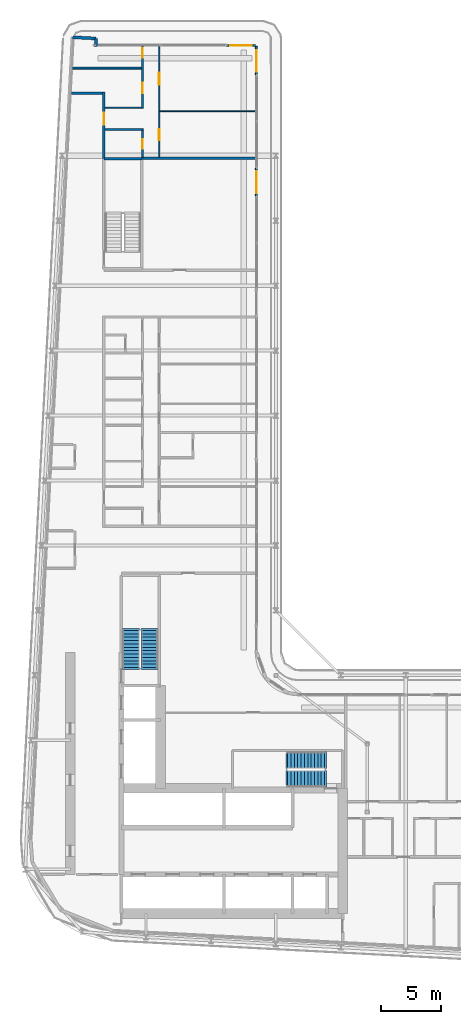
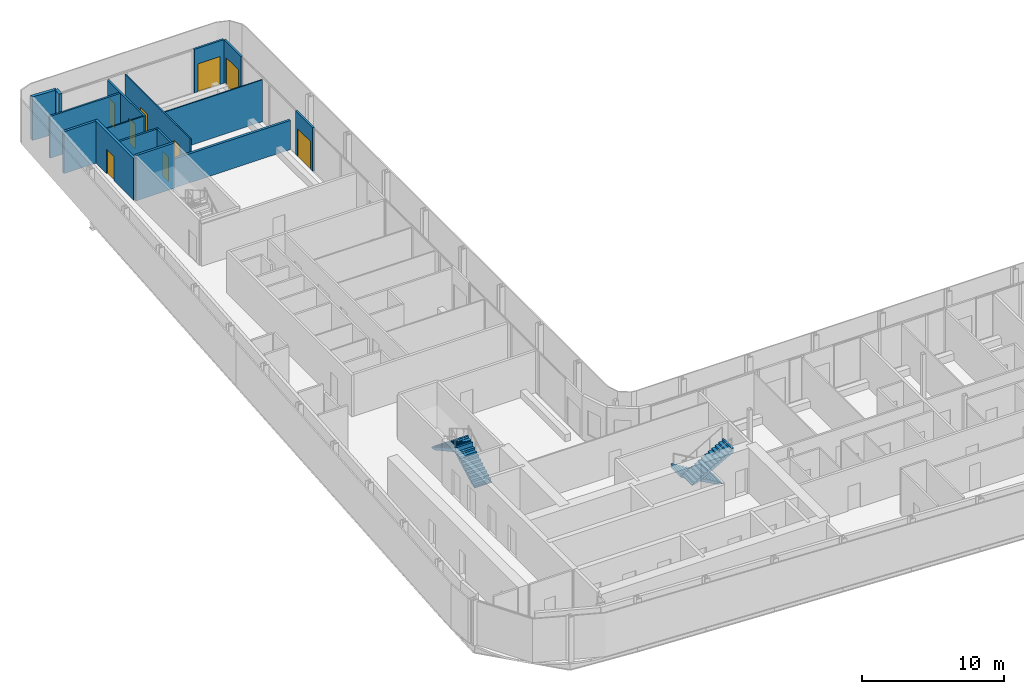
# One storey, part 22 of 30: 16 walls, 9 doors, 4 stair flights, 9 openings, 2 elements without a shape of their own.
"""IFC4 building model written with IfcOpenShell, lengths in metres."""

from ifc_helpers import new_model, si_unit, direction, frame, frame_2d, origin, place, context, subcontext, project, spatial, polyline, rectangle, outline, extrude, source, transform, mapped, material, layer, layer_set, type_object, element, fill, aggregate, save


model = new_model("IFC4")

# Units and contexts
model_context = context("Model", 3, precision=1e-05, world=origin(), true_north=direction((0.0, 1.0)))
body_context = subcontext(model_context, "Body", "Model", "MODEL_VIEW")
ifc_project = project(units=[si_unit("LENGTHUNIT", "METRE"), si_unit("AREAUNIT", "SQUARE_METRE"), si_unit("VOLUMEUNIT", "CUBIC_METRE"), si_unit("PLANEANGLEUNIT", "RADIAN"), si_unit("MASSUNIT", "GRAM", prefix="KILO")], contexts=[model_context])

# Site, building, storey
site_placement = place(None, origin())
site = spatial("IfcSite", under=ifc_project, at=site_placement, CompositionType="ELEMENT")
building_placement = place(site_placement, origin())
building = spatial("IfcBuilding", under=site, at=building_placement, Name="Kheshtan School and Residences Tower", CompositionType="ELEMENT")
storey_placement = place(building_placement, frame((0.0, 0.0, 164.300048828125)))
storey = spatial("IfcBuildingStorey", under=building, at=storey_placement, Name="L38", CompositionType="ELEMENT", Elevation=164.300048828125)

# Wall
ifc_material_1 = material(Name="Gypsum board on steel studs with fire boards", Category="steel")
ifc_layer_1 = layer(ifc_material_1, 0.199951171875)
ifc_layer_set_1 = layer_set([ifc_layer_1], Name="Corridor wall 200")
wall_type_1 = type_object("IfcWallType", Name="Corridor wall 200", PredefinedType="PARTITIONING", material=ifc_layer_set_1)
wall_1_placement = place(storey_placement, frame((30.584716796875, 94.0, 0.0), z_axis=(0.0, 0.0, 1.0), x_axis=(1.0, 0.0, 0.0)))
element("IfcWall", 1, at=wall_1_placement, inside=storey, type_object=wall_type_1, Name="Partition L38-002", PredefinedType="PARTITIONING", context=body_context, shape_type="SweptSolid", body=[
    extrude(rectangle(XDim=2.615234375, YDim=0.199951171875, at=frame_2d((1.3076171875, 0.0))), origin(), (0.0, 0.0, 1.0), 3.599853515625),
])

# Wall, opening, door
wall_2_placement = place(storey_placement, frame((33.300048828125, 88.60009765625, 0.0), z_axis=(0.0, 0.0, 1.0), x_axis=(0.0, 1.0, 0.0)))
wall_2 = element("IfcWall", 2, at=wall_2_placement, inside=storey, type_object=wall_type_1, Name="Partition L38-005", PredefinedType="PARTITIONING", context=body_context, shape_type="SweptSolid", body=[
    extrude(rectangle(XDim=5.5, YDim=0.199951171875, at=frame_2d((2.75, 0.0))), origin(), (0.0, 0.0, 1.0), 3.599853515625),
])
opening_1_placement = place(wall_2_placement, frame((2.800048828125, 0.0, 0.0)))
opening_1 = element("IfcOpeningElement", 3, at=opening_1_placement, cuts=wall_2, Name="Opening D37-514", PredefinedType="OPENING", context=body_context, shape_type="SweptSolid", body=[
    extrude(rectangle(XDim=1.0, YDim=2.10009765625, at=frame_2d((0.5, 1.050048828125))), frame((0.0, 0.10986328125, 0.0), z_axis=(0.0, -1.0, 0.0), x_axis=(1.0, 0.0, 0.0)), (0.0, 0.0, 1.0), 0.219970703125),
])
ifc_material_2 = material(Name="Steel-framed fire-resisting door leaf", Category="steel")
door_type_1 = type_object("IfcDoorType", Name="Fire door FD30S 1000 x 2100", OperationType="SINGLE_SWING_LEFT", PredefinedType="DOOR", material=ifc_material_2)
shared_shape_1 = source(origin(), body_context, "Body", "SweptSolid", [
    extrude(rectangle(XDim=1.0, YDim=2.10009765625, at=frame_2d((0.5, 1.050048828125))), frame((0.0, 0.02490234375, 0.0), z_axis=(0.0, -1.0, 0.0), x_axis=(1.0, 0.0, 0.0)), (0.0, 0.0, 1.0), 0.050048828125),
])
door_1_placement = place(opening_1_placement, origin())
door_1 = element("IfcDoor", 4, at=door_1_placement, inside=storey, type_object=door_type_1, Name="Door D37-514", OperationType="SINGLE_SWING_LEFT", OverallHeight=2.10009765625, OverallWidth=1.0, PredefinedType="DOOR", context=body_context, shape_type="MappedRepresentation", body=[
    mapped(shared_shape_1, transform((0.0, 0.0, 0.0), x_axis=(1.0, 0.0, 0.0), y_axis=(0.0, 1.0, 0.0), z_axis=(0.0, 0.0, 1.0), scale=1.0)),
])
fill(opening_1, door_1)

# Walls
ifc_material_3 = material(Name="Concrete C40/50 with ceramic cladding and mineral wool insulation", Category="concrete")
ifc_layer_2 = layer(ifc_material_3, 0.25)
ifc_layer_set_2 = layer_set([ifc_layer_2], Name="External wall 250 ceramic clad")
wall_type_2 = type_object("IfcWallType", Name="External wall 250 ceramic clad", PredefinedType="SOLIDWALL", material=ifc_layer_set_2)
wall_3_placement = place(storey_placement, frame((30.705078125, 98.6640625, 0.0), z_axis=(0.0, 0.0, 1.0), x_axis=(0.998577785791, -0.053314216913, 0.0)))
element("IfcWall", 5, at=wall_3_placement, inside=storey, type_object=wall_type_2, Name="External wall L38 5", PredefinedType="SOLIDWALL", context=body_context, shape_type="SweptSolid", body=[
    extrude(rectangle(XDim=1.95068359375, YDim=0.25, at=frame_2d((0.975341796875, 0.0))), origin(), (0.0, 0.0, 1.0), 3.75),
])
wall_4_placement = place(storey_placement, frame((32.653076171875, 98.56005859375, 0.0), z_axis=(0.0, 0.0, 1.0), x_axis=(-0.054093451632, -0.998535877418, 0.0)))
element("IfcWall", 6, at=wall_4_placement, inside=storey, type_object=wall_type_2, Name="External wall L38 6", PredefinedType="SOLIDWALL", context=body_context, shape_type="SweptSolid", body=[
    extrude(rectangle(XDim=0.66796875, YDim=0.25, at=frame_2d((0.333984375, 0.0))), origin(), (0.0, 0.0, 1.0), 3.75),
])

# Wall, opening, door
ifc_material_4 = material(Name="Aluminium frame wall with insulated infill", Category="aluminium")
ifc_layer_3 = layer(ifc_material_4, 0.14990234375)
ifc_layer_set_3 = layer_set([ifc_layer_3], Name="Glazing frame wall 150")
wall_type_3 = type_object("IfcWallType", Name="Glazing frame wall 150", PredefinedType="SOLIDWALL", material=ifc_layer_set_3)
wall_5_placement = place(storey_placement, frame((43.5, 97.97509765625, 0.0), z_axis=(0.0, 0.0, 1.0), x_axis=(1.0, 0.0, 0.0)))
wall_5 = element("IfcWall", 7, at=wall_5_placement, inside=storey, type_object=wall_type_3, Name="Balcony door wall L38 7.1", PredefinedType="SOLIDWALL", context=body_context, shape_type="SweptSolid", body=[
    extrude(rectangle(XDim=2.39990234375, YDim=0.14990234375, at=frame_2d((1.199951171875, 0.0))), origin(), (0.0, 0.0, 1.0), 3.75),
])
opening_2_placement = place(wall_5_placement, frame((0.300048828125, 0.0, 0.0)))
opening_2 = element("IfcOpeningElement", 8, at=opening_2_placement, cuts=wall_5, Name="Opening BD", PredefinedType="OPENING", context=body_context, shape_type="SweptSolid", body=[
    extrude(rectangle(XDim=1.800048828125, YDim=2.39990234375, at=frame_2d((0.89990234375, 1.199951171875))), frame((0.0, 0.0849609375, 0.0), z_axis=(0.0, -1.0, 0.0), x_axis=(1.0, 0.0, 0.0)), (0.0, 0.0, 1.0), 0.169921875),
])
ifc_material_5 = material(Name="Clear low-e glass in thermally broken aluminium frame", Category="aluminium")
door_type_2 = type_object("IfcDoorType", Name="Balcony sliding door", OperationType="SLIDING_TO_LEFT", PredefinedType="DOOR", material=ifc_material_5)
shared_shape_2 = source(origin(), body_context, "Body", "SweptSolid", [
    extrude(rectangle(XDim=1.800048828125, YDim=2.39990234375, at=frame_2d((0.89990234375, 1.199951171875))), frame((0.0, 0.02490234375, 0.0), z_axis=(0.0, -1.0, 0.0), x_axis=(1.0, 0.0, 0.0)), (0.0, 0.0, 1.0), 0.050048828125),
])
door_2_placement = place(opening_2_placement, origin())
door_2 = element("IfcDoor", 9, at=door_2_placement, inside=storey, type_object=door_type_2, Name="Balcony door L38 7.1", OperationType="SLIDING_TO_LEFT", OverallHeight=2.39990234375, OverallWidth=1.800048828125, PredefinedType="DOOR", context=body_context, shape_type="MappedRepresentation", body=[
    mapped(shared_shape_2, transform((0.0, 0.0, 0.0), x_axis=(1.0, 0.0, 0.0), y_axis=(0.0, 1.0, 0.0), z_axis=(0.0, 0.0, 1.0), scale=1.0)),
])
fill(opening_2, door_2)

wall_6_placement = place(storey_placement, frame((45.97509765625, 97.89990234375, 0.0), z_axis=(0.0, 0.0, 1.0), x_axis=(0.0, -1.0, 0.0)))
wall_6 = element("IfcWall", 10, at=wall_6_placement, inside=storey, type_object=wall_type_3, Name="Balcony door wall L38 8.1", PredefinedType="SOLIDWALL", context=body_context, shape_type="SweptSolid", body=[
    extrude(rectangle(XDim=2.39990234375, YDim=0.14990234375, at=frame_2d((1.199951171875, 0.0))), origin(), (0.0, 0.0, 1.0), 3.75),
])
opening_3_placement = place(wall_6_placement, frame((0.300048828125, 0.0, 0.0)))
opening_3 = element("IfcOpeningElement", 11, at=opening_3_placement, cuts=wall_6, Name="Opening BD", PredefinedType="OPENING", context=body_context, shape_type="SweptSolid", body=[
    extrude(rectangle(XDim=1.800048828125, YDim=2.39990234375, at=frame_2d((0.89990234375, 1.199951171875))), frame((0.0, 0.0849609375, 0.0), z_axis=(0.0, -1.0, 0.0), x_axis=(1.0, 0.0, 0.0)), (0.0, 0.0, 1.0), 0.169921875),
])
door_3_placement = place(opening_3_placement, origin())
door_3 = element("IfcDoor", 12, at=door_3_placement, inside=storey, type_object=door_type_2, Name="Balcony door L38 8.1", OperationType="SLIDING_TO_LEFT", OverallHeight=2.39990234375, OverallWidth=1.800048828125, PredefinedType="DOOR", context=body_context, shape_type="MappedRepresentation", body=[
    mapped(shared_shape_2, transform((0.0, 0.0, 0.0), x_axis=(1.0, 0.0, 0.0), y_axis=(0.0, 1.0, 0.0), z_axis=(0.0, 0.0, 1.0), scale=1.0)),
])
fill(opening_3, door_3)

wall_7_placement = place(storey_placement, frame((45.97509765625, 87.805908203125, 0.0), z_axis=(0.0, 0.0, 1.0), x_axis=(0.0, -1.0, 0.0)))
wall_7 = element("IfcWall", 13, at=wall_7_placement, inside=storey, type_object=wall_type_3, Name="Balcony door wall L38 8.2", PredefinedType="SOLIDWALL", context=body_context, shape_type="SweptSolid", body=[
    extrude(rectangle(XDim=2.39990234375, YDim=0.14990234375, at=frame_2d((1.199951171875, 0.0))), origin(), (0.0, 0.0, 1.0), 3.75),
])
opening_4_placement = place(wall_7_placement, frame((0.300048828125, 0.0, 0.0)))
opening_4 = element("IfcOpeningElement", 14, at=opening_4_placement, cuts=wall_7, Name="Opening BD", PredefinedType="OPENING", context=body_context, shape_type="SweptSolid", body=[
    extrude(rectangle(XDim=1.800048828125, YDim=2.39990234375, at=frame_2d((0.89990234375, 1.199951171875))), frame((0.0, 0.0849609375, 0.0), z_axis=(0.0, -1.0, 0.0), x_axis=(1.0, 0.0, 0.0)), (0.0, 0.0, 1.0), 0.169921875),
])
door_4_placement = place(opening_4_placement, origin())
door_4 = element("IfcDoor", 15, at=door_4_placement, inside=storey, type_object=door_type_2, Name="Balcony door L38 8.2", OperationType="SLIDING_TO_LEFT", OverallHeight=2.39990234375, OverallWidth=1.800048828125, PredefinedType="DOOR", context=body_context, shape_type="MappedRepresentation", body=[
    mapped(shared_shape_2, transform((0.0, 0.0, 0.0), x_axis=(1.0, 0.0, 0.0), y_axis=(0.0, 1.0, 0.0), z_axis=(0.0, 0.0, 1.0), scale=1.0)),
])
fill(opening_4, door_4)

# Wall
ifc_material_6 = material(Name="Gypsum board on steel studs", Category="steel")
ifc_layer_4 = layer(ifc_material_6, 0.10009765625)
ifc_layer_set_4 = layer_set([ifc_layer_4], Name="Gypsum partition 100")
wall_type_4 = type_object("IfcWallType", Name="Gypsum partition 100", PredefinedType="PARTITIONING", material=ifc_layer_set_4)
wall_8_placement = place(storey_placement, frame((33.39990234375, 92.800048828125, 0.0), z_axis=(0.0, 0.0, 1.0), x_axis=(1.0, 0.0, 0.0)))
element("IfcWall", 16, at=wall_8_placement, inside=storey, type_object=wall_type_4, Name="Partition L38-017", PredefinedType="PARTITIONING", context=body_context, shape_type="SweptSolid", body=[
    extrude(rectangle(XDim=3.025146484375, YDim=0.10009765625, at=frame_2d((1.5126953125, 0.0))), origin(), (0.0, 0.0, 1.0), 3.599853515625),
])

# Wall, openings, doors
wall_9_placement = place(storey_placement, frame((37.89990234375, 88.699951171875, 0.0), z_axis=(0.0, 0.0, 1.0), x_axis=(0.0, 1.0, 0.0)))
wall_9 = element("IfcWall", 17, at=wall_9_placement, inside=storey, type_object=wall_type_4, Name="Partition L38-028", PredefinedType="PARTITIONING", context=body_context, shape_type="SweptSolid", body=[
    extrude(rectangle(XDim=9.199951171875, YDim=0.10009765625, at=frame_2d((4.60009765625, 0.0))), origin(), (0.0, 0.0, 1.0), 3.599853515625),
])
opening_5_placement = place(wall_9_placement, frame((1.39990234375, 0.0, 0.0)))
opening_5 = element("IfcOpeningElement", 18, at=opening_5_placement, cuts=wall_9, Name="Opening D37-513", PredefinedType="OPENING", context=body_context, shape_type="SweptSolid", body=[
    extrude(rectangle(XDim=0.89990234375, YDim=2.10009765625, at=frame_2d((0.449951171875, 1.050048828125))), frame((0.0, 0.06005859375, 0.0), z_axis=(0.0, -1.0, 0.0), x_axis=(1.0, 0.0, 0.0)), (0.0, 0.0, 1.0), 0.1201171875),
])
opening_6_placement = place(wall_9_placement, frame((6.0, 0.0, 0.0)))
opening_6 = element("IfcOpeningElement", 19, at=opening_6_placement, cuts=wall_9, Name="Opening D37-516", PredefinedType="OPENING", context=body_context, shape_type="SweptSolid", body=[
    extrude(rectangle(XDim=1.0, YDim=2.10009765625, at=frame_2d((0.5, 1.050048828125))), frame((0.0, 0.06005859375, 0.0), z_axis=(0.0, -1.0, 0.0), x_axis=(1.0, 0.0, 0.0)), (0.0, 0.0, 1.0), 0.1201171875),
])
ifc_material_7 = material(Name="Veneered timber door leaf", Category="wood")
door_type_3 = type_object("IfcDoorType", Name="Door 1000 x 2100", OperationType="SINGLE_SWING_LEFT", PredefinedType="DOOR", material=ifc_material_7)
shared_shape_3 = source(origin(), body_context, "Body", "SweptSolid", [
    extrude(rectangle(XDim=1.0, YDim=2.10009765625, at=frame_2d((0.5, 1.050048828125))), frame((0.0, 0.02490234375, 0.0), z_axis=(0.0, -1.0, 0.0), x_axis=(1.0, 0.0, 0.0)), (0.0, 0.0, 1.0), 0.050048828125),
])
door_5_placement = place(opening_6_placement, origin())
door_5 = element("IfcDoor", 20, at=door_5_placement, inside=storey, type_object=door_type_3, Name="Door D37-516", OperationType="SINGLE_SWING_RIGHT", OverallHeight=2.10009765625, OverallWidth=1.0, PredefinedType="DOOR", context=body_context, shape_type="MappedRepresentation", body=[
    mapped(shared_shape_3, transform((0.0, 0.0, 0.0), x_axis=(1.0, 0.0, 0.0), y_axis=(0.0, 1.0, 0.0), z_axis=(0.0, 0.0, 1.0), scale=1.0)),
])
fill(opening_6, door_5)
door_type_4 = type_object("IfcDoorType", Name="Door 900 x 2100", OperationType="SINGLE_SWING_LEFT", PredefinedType="DOOR", material=ifc_material_7)
shared_shape_4 = source(origin(), body_context, "Body", "SweptSolid", [
    extrude(rectangle(XDim=0.89990234375, YDim=2.10009765625, at=frame_2d((0.449951171875, 1.050048828125))), frame((0.0, 0.02490234375, 0.0), z_axis=(0.0, -1.0, 0.0), x_axis=(1.0, 0.0, 0.0)), (0.0, 0.0, 1.0), 0.050048828125),
])
door_6_placement = place(opening_5_placement, origin())
door_6 = element("IfcDoor", 21, at=door_6_placement, inside=storey, type_object=door_type_4, Name="Door D37-513", OperationType="SINGLE_SWING_LEFT", OverallHeight=2.10009765625, OverallWidth=0.89990234375, PredefinedType="DOOR", context=body_context, shape_type="MappedRepresentation", body=[
    mapped(shared_shape_4, transform((0.0, 0.0, 0.0), x_axis=(1.0, 0.0, 0.0), y_axis=(0.0, 1.0, 0.0), z_axis=(0.0, 0.0, 1.0), scale=1.0)),
])
fill(opening_5, door_6)

# Walls
wall_10_placement = place(storey_placement, frame((37.949951171875, 92.5, 0.0), z_axis=(0.0, 0.0, 1.0), x_axis=(1.0, 0.0, 0.0)))
element("IfcWall", 22, at=wall_10_placement, inside=storey, type_object=wall_type_4, Name="Partition L38-029", PredefinedType="PARTITIONING", context=body_context, shape_type="SweptSolid", body=[
    extrude(rectangle(XDim=7.949951171875, YDim=0.10009765625, at=frame_2d((3.97509765625, 0.0))), origin(), (0.0, 0.0, 1.0), 3.599853515625),
])
ifc_material_8 = material(Name="Concrete C40/50", Category="concrete")
ifc_layer_5 = layer(ifc_material_8, 0.199951171875)
ifc_layer_set_5 = layer_set([ifc_layer_5], Name="Stair enclosure wall 200 Concrete C40/50")
wall_type_5 = type_object("IfcWallType", Name="Stair enclosure wall 200 Concrete C40/50", PredefinedType="SHEAR", material=ifc_layer_set_5)
wall_11_placement = place(storey_placement, frame((33.300048828125, 88.56005859375, 0.0), z_axis=(0.0, 0.0, 1.0), x_axis=(1.0, 0.0, 0.0)))
element("IfcWall", 23, at=wall_11_placement, inside=storey, type_object=wall_type_5, Name="Stair enclosure wall ST3", PredefinedType="SHEAR", context=body_context, shape_type="SweptSolid", body=[
    extrude(rectangle(XDim=3.14990234375, YDim=0.199951171875, at=frame_2d((1.574951171875, 0.0))), origin(), (0.0, 0.0, 1.0), 3.89990234375),
])
ifc_material_9 = material(Name="Twin gypsum board on steel studs with mineral wool", Category="steel")
ifc_layer_6 = layer(ifc_material_9, 0.199951171875)
ifc_layer_set_6 = layer_set([ifc_layer_6], Name="Unit demising wall 200")
wall_type_6 = type_object("IfcWallType", Name="Unit demising wall 200", PredefinedType="PARTITIONING", material=ifc_layer_set_6)
wall_12_placement = place(storey_placement, frame((36.425048828125, 88.60009765625, 0.0), z_axis=(0.0, 0.0, 1.0), x_axis=(1.0, 0.0, 0.0)))
element("IfcWall", 24, at=wall_12_placement, inside=storey, type_object=wall_type_6, Name="Partition L38-022", PredefinedType="PARTITIONING", context=body_context, shape_type="SweptSolid", body=[
    extrude(rectangle(XDim=9.474853515625, YDim=0.199951171875, at=frame_2d((4.7373046875, 0.0))), origin(), (0.0, 0.0, 1.0), 2.5),
])
ifc_material_10 = material(Name="Moisture-resistant gypsum board on steel studs", Category="steel")
ifc_layer_7 = layer(ifc_material_10, 0.14990234375)
ifc_layer_set_7 = layer_set([ifc_layer_7], Name="Wet-room partition 150")
wall_type_7 = type_object("IfcWallType", Name="Wet-room partition 150", PredefinedType="PARTITIONING", material=ifc_layer_set_7)
wall_13_placement = place(storey_placement, frame((30.695068359375, 96.10009765625, 0.0), z_axis=(0.0, 0.0, 1.0), x_axis=(1.0, 0.0, 0.0)))
element("IfcWall", 25, at=wall_13_placement, inside=storey, type_object=wall_type_7, Name="Partition L38-001", PredefinedType="PARTITIONING", context=body_context, shape_type="SweptSolid", body=[
    extrude(rectangle(XDim=5.72998046875, YDim=0.14990234375, at=frame_2d((2.864990234375, 0.0))), origin(), (0.0, 0.0, 1.0), 3.599853515625),
])
wall_14_placement = place(storey_placement, frame((33.39990234375, 91.0, 0.0), z_axis=(0.0, 0.0, 1.0), x_axis=(1.0, 0.0, 0.0)))
element("IfcWall", 26, at=wall_14_placement, inside=storey, type_object=wall_type_7, Name="Partition L38-016", PredefinedType="PARTITIONING", context=body_context, shape_type="SweptSolid", body=[
    extrude(rectangle(XDim=3.175048828125, YDim=0.14990234375, at=frame_2d((1.58740234375, 0.0))), origin(), (0.0, 0.0, 1.0), 3.599853515625),
])

# Wall, opening, door
wall_15_placement = place(storey_placement, frame((36.5, 88.699951171875, 0.0), z_axis=(0.0, 0.0, 1.0), x_axis=(0.0, 1.0, 0.0)))
wall_15 = element("IfcWall", 27, at=wall_15_placement, inside=storey, type_object=wall_type_7, Name="Partition L38-025", PredefinedType="PARTITIONING", context=body_context, shape_type="SweptSolid", body=[
    extrude(rectangle(XDim=2.22509765625, YDim=0.14990234375, at=frame_2d((1.112548828125, 0.0))), origin(), (0.0, 0.0, 1.0), 3.599853515625),
])
opening_7_placement = place(wall_15_placement, frame((0.699951171875, 0.0, 0.0)))
opening_7 = element("IfcOpeningElement", 28, at=opening_7_placement, cuts=wall_15, Name="Opening D37-512", PredefinedType="OPENING", context=body_context, shape_type="SweptSolid", body=[
    extrude(rectangle(XDim=0.800048828125, YDim=2.10009765625, at=frame_2d((0.39990234375, 1.050048828125))), frame((0.0, 0.0849609375, 0.0), z_axis=(0.0, -1.0, 0.0), x_axis=(1.0, 0.0, 0.0)), (0.0, 0.0, 1.0), 0.169921875),
])
door_type_5 = type_object("IfcDoorType", Name="Door 800 x 2100", OperationType="SINGLE_SWING_LEFT", PredefinedType="DOOR", material=ifc_material_7)
shared_shape_5 = source(origin(), body_context, "Body", "SweptSolid", [
    extrude(rectangle(XDim=0.800048828125, YDim=2.10009765625, at=frame_2d((0.39990234375, 1.050048828125))), frame((0.0, 0.02490234375, 0.0), z_axis=(0.0, -1.0, 0.0), x_axis=(1.0, 0.0, 0.0)), (0.0, 0.0, 1.0), 0.050048828125),
])
door_7_placement = place(opening_7_placement, origin())
door_7 = element("IfcDoor", 29, at=door_7_placement, inside=storey, type_object=door_type_5, Name="Door D37-512", OperationType="SINGLE_SWING_LEFT", OverallHeight=2.10009765625, OverallWidth=0.800048828125, PredefinedType="DOOR", context=body_context, shape_type="MappedRepresentation", body=[
    mapped(shared_shape_5, transform((0.0, 0.0, 0.0), x_axis=(1.0, 0.0, 0.0), y_axis=(0.0, 1.0, 0.0), z_axis=(0.0, 0.0, 1.0), scale=1.0)),
])
fill(opening_7, door_7)

# Wall, openings, doors
wall_16_placement = place(storey_placement, frame((36.5, 92.75, 0.0), z_axis=(0.0, 0.0, 1.0), x_axis=(0.0, 1.0, 0.0)))
wall_16 = element("IfcWall", 30, at=wall_16_placement, inside=storey, type_object=wall_type_7, Name="Partition L38-026", PredefinedType="PARTITIONING", context=body_context, shape_type="SweptSolid", body=[
    extrude(rectangle(XDim=5.14990234375, YDim=0.14990234375, at=frame_2d((2.574951171875, 0.0))), origin(), (0.0, 0.0, 1.0), 3.599853515625),
])
opening_8_placement = place(wall_16_placement, frame((1.25, 0.0, 0.0)))
opening_8 = element("IfcOpeningElement", 31, at=opening_8_placement, cuts=wall_16, Name="Opening D37-515", PredefinedType="OPENING", context=body_context, shape_type="SweptSolid", body=[
    extrude(rectangle(XDim=0.89990234375, YDim=2.10009765625, at=frame_2d((0.449951171875, 1.050048828125))), frame((0.0, 0.0849609375, 0.0), z_axis=(0.0, -1.0, 0.0), x_axis=(1.0, 0.0, 0.0)), (0.0, 0.0, 1.0), 0.169921875),
])
opening_9_placement = place(wall_16_placement, frame((4.199951171875, 0.0, 0.0)))
opening_9 = element("IfcOpeningElement", 32, at=opening_9_placement, cuts=wall_16, Name="Opening D37-517", PredefinedType="OPENING", context=body_context, shape_type="SweptSolid", body=[
    extrude(rectangle(XDim=0.800048828125, YDim=2.10009765625, at=frame_2d((0.39990234375, 1.050048828125))), frame((0.0, 0.0849609375, 0.0), z_axis=(0.0, -1.0, 0.0), x_axis=(1.0, 0.0, 0.0)), (0.0, 0.0, 1.0), 0.169921875),
])
door_8_placement = place(opening_9_placement, origin())
door_8 = element("IfcDoor", 33, at=door_8_placement, inside=storey, type_object=door_type_5, Name="Door D37-517", OperationType="SINGLE_SWING_LEFT", OverallHeight=2.10009765625, OverallWidth=0.800048828125, PredefinedType="DOOR", context=body_context, shape_type="MappedRepresentation", body=[
    mapped(shared_shape_5, transform((0.0, 0.0, 0.0), x_axis=(1.0, 0.0, 0.0), y_axis=(0.0, 1.0, 0.0), z_axis=(0.0, 0.0, 1.0), scale=1.0)),
])
fill(opening_9, door_8)
door_9_placement = place(opening_8_placement, origin())
door_9 = element("IfcDoor", 34, at=door_9_placement, inside=storey, type_object=door_type_4, Name="Door D37-515", OperationType="SINGLE_SWING_RIGHT", OverallHeight=2.10009765625, OverallWidth=0.89990234375, PredefinedType="DOOR", context=body_context, shape_type="MappedRepresentation", body=[
    mapped(shared_shape_4, transform((0.0, 0.0, 0.0), x_axis=(1.0, 0.0, 0.0), y_axis=(0.0, 1.0, 0.0), z_axis=(0.0, 0.0, 1.0), scale=1.0)),
])
fill(opening_8, door_9)

# Stair, stair flights
stair_type = type_object("IfcStairType", Name="Exit stair, half-turn", PredefinedType="HALF_TURN_STAIR", material=ifc_material_8)
stair_1_placement = place(storey_placement, origin())
stair_1 = element("IfcStair", 35, at=stair_1_placement, inside=storey, type_object=stair_type, Name="L38 Protected Exit Stair ST1", PredefinedType="HALF_TURN_STAIR")
ifc_layer_8 = layer(ifc_material_8, 0.14990234375)
ifc_layer_set_8 = layer_set([ifc_layer_8], Name="Stair flight 1400 Concrete C40/50")
stair_flight_type = type_object("IfcStairFlightType", Name="Stair flight 1400 Concrete C40/50", PredefinedType="STRAIGHT", material=ifc_layer_set_8)
stair_flight_1_placement = place(storey_placement, frame((51.64990234375, 38.550048828125, 0.0), z_axis=(0.0, 0.0, 1.0), x_axis=(-1.0, 0.0, 0.0)))
stair_flight_1 = element("IfcStairFlight", 36, at=stair_flight_1_placement, type_object=stair_flight_type, Name="ST1 flight 1", NumberOfRisers=12, NumberOfTreads=11, PredefinedType="STRAIGHT", RiserHeight=0.1625, TreadLength=0.28, context=body_context, shape_type="SweptSolid", body=[
    extrude(outline(polyline([(-0.14990234375, -0.10009765625), (-0.14990234375, 0.0), (0.0, 0.0), (0.0, 0.16259765625), (0.280029296875, 0.16259765625), (0.280029296875, 0.324951171875), (0.56005859375, 0.324951171875), (0.56005859375, 0.487548828125), (0.840087890625, 0.487548828125), (0.840087890625, 0.64990234375), (1.1201171875, 0.64990234375), (1.1201171875, 0.8125), (1.39990234375, 0.8125), (1.39990234375, 0.97509765625), (1.679931640625, 0.97509765625), (1.679931640625, 1.137451171875), (1.9599609375, 1.137451171875), (1.9599609375, 1.300048828125), (2.239990234375, 1.300048828125), (2.239990234375, 1.46240234375), (2.52001953125, 1.46240234375), (2.52001953125, 1.625), (2.800048828125, 1.625), (2.800048828125, 1.78759765625), (3.080078125, 1.78759765625), (3.080078125, 1.949951171875), (3.080078125, 1.969970703125), (3.22998046875, 1.969970703125), (3.22998046875, 1.6142578125), (0.298583984375, 0.0), (-0.14990234375, -0.10009765625)])), frame((0.0, 0.699951171875, 0.0), z_axis=(0.0, -1.0, 0.0), x_axis=(1.0, 0.0, 0.0)), (0.0, 0.0, 1.0), 1.39990234375),
])
stair_flight_2_placement = place(storey_placement, frame((48.570068359375, 37.0, 1.949951171875), z_axis=(0.0, 0.0, 1.0), x_axis=(1.0, 0.0, 0.0)))
stair_flight_2 = element("IfcStairFlight", 37, at=stair_flight_2_placement, type_object=stair_flight_type, Name="ST1 flight 2", NumberOfRisers=12, NumberOfTreads=11, PredefinedType="STRAIGHT", RiserHeight=0.1625, TreadLength=0.28, context=body_context, shape_type="SweptSolid", body=[
    extrude(outline(polyline([(-0.14990234375, -0.10009765625), (-0.14990234375, 0.0), (0.0, 0.0), (0.0, 0.16259765625), (0.280029296875, 0.16259765625), (0.280029296875, 0.324951171875), (0.56005859375, 0.324951171875), (0.56005859375, 0.487548828125), (0.840087890625, 0.487548828125), (0.840087890625, 0.64990234375), (1.1201171875, 0.64990234375), (1.1201171875, 0.8125), (1.39990234375, 0.8125), (1.39990234375, 0.97509765625), (1.679931640625, 0.97509765625), (1.679931640625, 1.137451171875), (1.9599609375, 1.137451171875), (1.9599609375, 1.300048828125), (2.239990234375, 1.300048828125), (2.239990234375, 1.46240234375), (2.52001953125, 1.46240234375), (2.52001953125, 1.625), (2.800048828125, 1.625), (2.800048828125, 1.78759765625), (3.080078125, 1.78759765625), (3.080078125, 1.949951171875), (3.080078125, 1.969970703125), (3.22998046875, 1.969970703125), (3.22998046875, 1.6142578125), (0.298583984375, 0.0), (-0.14990234375, -0.10009765625)])), frame((0.0, 0.699951171875, 0.0), z_axis=(0.0, -1.0, 0.0), x_axis=(1.0, 0.0, 0.0)), (0.0, 0.0, 1.0), 1.39990234375),
])
aggregate(stair_1, [stair_flight_1, stair_flight_2])

stair_2_placement = place(storey_placement, origin())
stair_2 = element("IfcStair", 38, at=stair_2_placement, inside=storey, type_object=stair_type, Name="L38 Protected Exit Stair ST2", PredefinedType="HALF_TURN_STAIR")
stair_flight_3_placement = place(storey_placement, frame((37.10009765625, 46.25, 0.0), z_axis=(0.0, 0.0, 1.0), x_axis=(0.0, 1.0, 0.0)))
stair_flight_3 = element("IfcStairFlight", 39, at=stair_flight_3_placement, type_object=stair_flight_type, Name="ST2 flight 1", NumberOfRisers=12, NumberOfTreads=11, PredefinedType="STRAIGHT", RiserHeight=0.1625, TreadLength=0.28, context=body_context, shape_type="SweptSolid", body=[
    extrude(outline(polyline([(-0.14990234375, -0.10009765625), (-0.14990234375, 0.0), (0.0, 0.0), (0.0, 0.16259765625), (0.280029296875, 0.16259765625), (0.280029296875, 0.324951171875), (0.56005859375, 0.324951171875), (0.56005859375, 0.487548828125), (0.840087890625, 0.487548828125), (0.840087890625, 0.64990234375), (1.1201171875, 0.64990234375), (1.1201171875, 0.8125), (1.39990234375, 0.8125), (1.39990234375, 0.97509765625), (1.679931640625, 0.97509765625), (1.679931640625, 1.137451171875), (1.9599609375, 1.137451171875), (1.9599609375, 1.300048828125), (2.239990234375, 1.300048828125), (2.239990234375, 1.46240234375), (2.52001953125, 1.46240234375), (2.52001953125, 1.625), (2.800048828125, 1.625), (2.800048828125, 1.78759765625), (3.080078125, 1.78759765625), (3.080078125, 1.949951171875), (3.080078125, 1.969970703125), (3.22998046875, 1.969970703125), (3.22998046875, 1.6142578125), (0.298583984375, 0.0), (-0.14990234375, -0.10009765625)])), frame((0.0, 0.699951171875, 0.0), z_axis=(0.0, -1.0, 0.0), x_axis=(1.0, 0.0, 0.0)), (0.0, 0.0, 1.0), 1.39990234375),
])
stair_flight_4_placement = place(storey_placement, frame((35.550048828125, 49.330078125, 1.949951171875), z_axis=(0.0, 0.0, 1.0), x_axis=(0.0, -1.0, 0.0)))
stair_flight_4 = element("IfcStairFlight", 40, at=stair_flight_4_placement, type_object=stair_flight_type, Name="ST2 flight 2", NumberOfRisers=12, NumberOfTreads=11, PredefinedType="STRAIGHT", RiserHeight=0.1625, TreadLength=0.28, context=body_context, shape_type="SweptSolid", body=[
    extrude(outline(polyline([(-0.14990234375, -0.10009765625), (-0.14990234375, 0.0), (0.0, 0.0), (0.0, 0.16259765625), (0.280029296875, 0.16259765625), (0.280029296875, 0.324951171875), (0.56005859375, 0.324951171875), (0.56005859375, 0.487548828125), (0.840087890625, 0.487548828125), (0.840087890625, 0.64990234375), (1.1201171875, 0.64990234375), (1.1201171875, 0.8125), (1.39990234375, 0.8125), (1.39990234375, 0.97509765625), (1.679931640625, 0.97509765625), (1.679931640625, 1.137451171875), (1.9599609375, 1.137451171875), (1.9599609375, 1.300048828125), (2.239990234375, 1.300048828125), (2.239990234375, 1.46240234375), (2.52001953125, 1.46240234375), (2.52001953125, 1.625), (2.800048828125, 1.625), (2.800048828125, 1.78759765625), (3.080078125, 1.78759765625), (3.080078125, 1.949951171875), (3.080078125, 1.969970703125), (3.22998046875, 1.969970703125), (3.22998046875, 1.6142578125), (0.298583984375, 0.0), (-0.14990234375, -0.10009765625)])), frame((0.0, 0.699951171875, 0.0), z_axis=(0.0, -1.0, 0.0), x_axis=(1.0, 0.0, 0.0)), (0.0, 0.0, 1.0), 1.39990234375),
])
aggregate(stair_2, [stair_flight_3, stair_flight_4])

save(model, "model.ifc")
